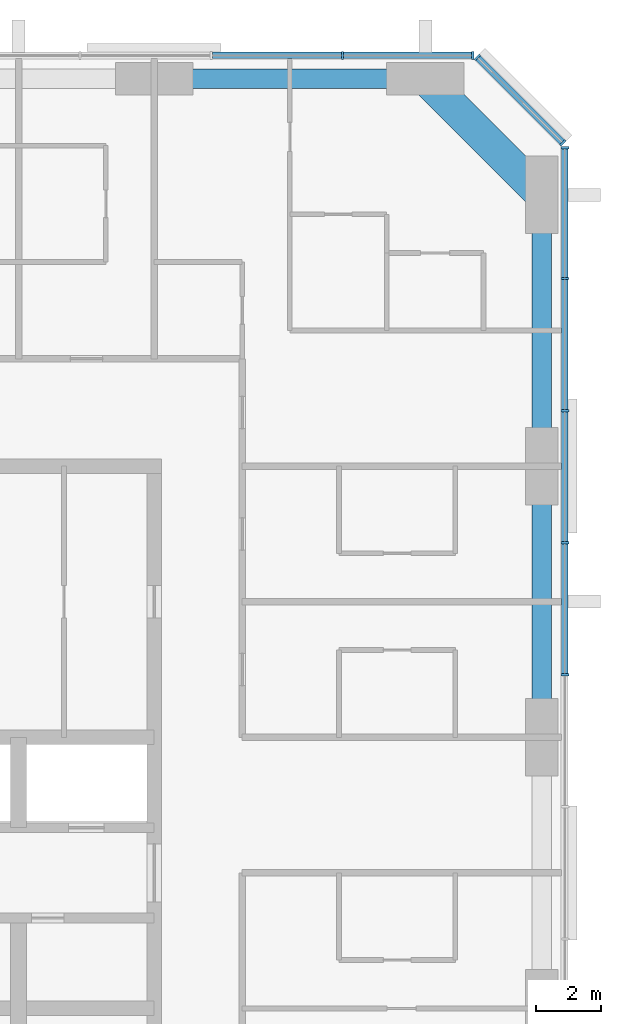
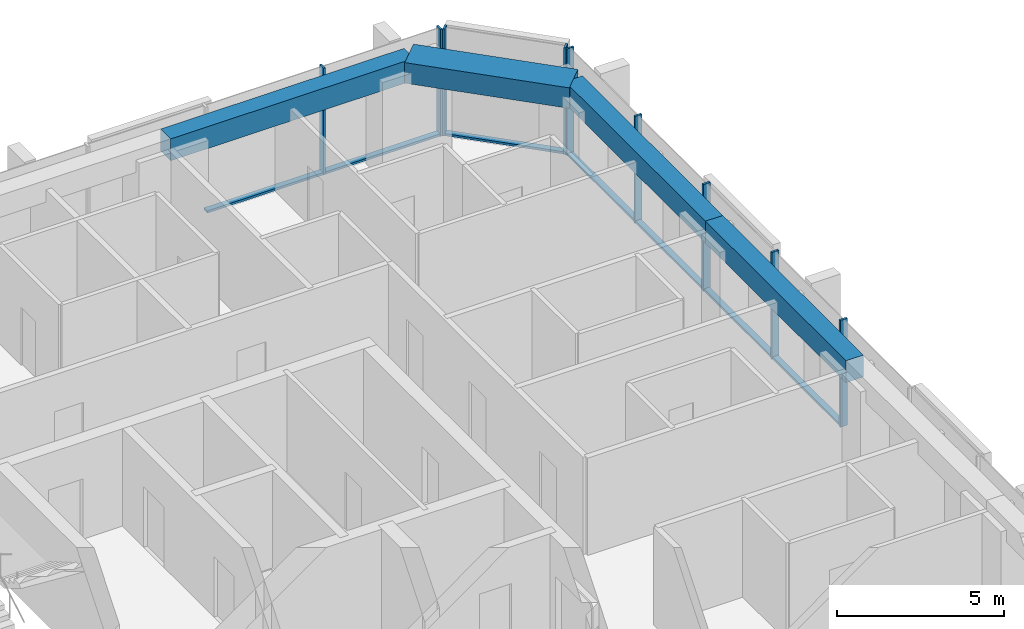
# One storey, part 5 of 12: 16 members, 4 beams, 3 elements without a shape of their own.
"""IFC4 building model written with IfcOpenShell, lengths in metres."""

from ifc_helpers import new_model, si_unit, direction, frame, origin, origin_2d, place, context, subcontext, project, spatial, rectangle, extrude, material, material_profile, profile_set, type_object, element, aggregate, save


model = new_model("IFC4")

# Units and contexts
model_context = context("Model", 3, precision=1e-05, world=origin(), true_north=direction((0.0, 1.0)))
body_context = subcontext(model_context, "Body", "Model", "MODEL_VIEW")
ifc_project = project(units=[si_unit("LENGTHUNIT", "METRE"), si_unit("AREAUNIT", "SQUARE_METRE"), si_unit("VOLUMEUNIT", "CUBIC_METRE"), si_unit("PLANEANGLEUNIT", "RADIAN"), si_unit("MASSUNIT", "GRAM", prefix="KILO")], contexts=[model_context])

# Site, building, storey
site_placement = place(None, origin())
site = spatial("IfcSite", under=ifc_project, at=site_placement, CompositionType="ELEMENT")
building_placement = place(site_placement, origin())
building = spatial("IfcBuilding", under=site, at=building_placement, Name="Dunama Terrace Hotel", CompositionType="ELEMENT")
storey_placement = place(building_placement, frame((0.0, 0.0, 260.699951171875)))
storey = spatial("IfcBuildingStorey", under=building, at=storey_placement, Name="L67", CompositionType="ELEMENT", Elevation=260.699951171875)

# Curtain wall, members
ifc_material_1 = material(Name="Aluminium curtain wall system", Category="aluminium")
curtain_wall_type = type_object("IfcCurtainWallType", Name="Unitised fritted glass wall CW-D", PredefinedType="NOTDEFINED", material=ifc_material_1)
curtain_wall_1_placement = place(storey_placement, origin())
curtain_wall_1 = element("IfcCurtainWall", 1, at=curtain_wall_1_placement, inside=storey, type_object=curtain_wall_type, Name="Unitised fritted glass wall CW-D L67", PredefinedType="NOTDEFINED")
ifc_material_2 = material(Name="Aluminium mullion", Category="aluminium")
ifc_material_profile_1 = material_profile(ifc_material_2, rectangle(XDim=0.070068359375, YDim=0.239990234375, at=origin_2d()), Name="CWD MULLION 70X240")
ifc_profile_set_1 = profile_set([ifc_material_profile_1], Name="Aluminium mullion")
member_type_1 = type_object("IfcMemberType", Name="CWD mullion 70x240", PredefinedType="MULLION", material=ifc_profile_set_1)
member_1_placement = place(storey_placement, frame((54.719970703125, 35.535888671875, 0.0), z_axis=(0.0, 0.0, 1.0), x_axis=(0.0, 1.0, 0.0)))
member_1 = element("IfcMember", 2, at=member_1_placement, type_object=member_type_1, Name="CWD mullion", PredefinedType="MULLION", context=body_context, shape_type="SweptSolid", body=[
    extrude(rectangle(XDim=0.070068359375, YDim=0.239990234375, at=origin_2d()), origin(), (0.0, 0.0, 1.0), 3.900146484375),
])
member_2_placement = place(storey_placement, frame((54.719970703125, 39.626953125, 0.0), z_axis=(0.0, 0.0, 1.0), x_axis=(0.0, 1.0, 0.0)))
member_2 = element("IfcMember", 3, at=member_2_placement, type_object=member_type_1, Name="CWD mullion", PredefinedType="MULLION", context=body_context, shape_type="SweptSolid", body=[
    extrude(rectangle(XDim=0.070068359375, YDim=0.239990234375, at=origin_2d()), origin(), (0.0, 0.0, 1.0), 3.900146484375),
])
member_3_placement = place(storey_placement, frame((54.719970703125, 43.718017578125, 0.0), z_axis=(0.0, 0.0, 1.0), x_axis=(0.0, 1.0, 0.0)))
member_3 = element("IfcMember", 4, at=member_3_placement, type_object=member_type_1, Name="CWD mullion", PredefinedType="MULLION", context=body_context, shape_type="SweptSolid", body=[
    extrude(rectangle(XDim=0.070068359375, YDim=0.239990234375, at=origin_2d()), origin(), (0.0, 0.0, 1.0), 3.900146484375),
])
member_4_placement = place(storey_placement, frame((54.719970703125, 47.80908203125, 0.0), z_axis=(0.0, 0.0, 1.0), x_axis=(0.0, 1.0, 0.0)))
member_4 = element("IfcMember", 5, at=member_4_placement, type_object=member_type_1, Name="CWD mullion", PredefinedType="MULLION", context=body_context, shape_type="SweptSolid", body=[
    extrude(rectangle(XDim=0.070068359375, YDim=0.239990234375, at=origin_2d()), origin(), (0.0, 0.0, 1.0), 3.900146484375),
])
member_5_placement = place(storey_placement, frame((54.719970703125, 51.864990234375, 0.0), z_axis=(0.0, 0.0, 1.0), x_axis=(0.0, 1.0, 0.0)))
member_5 = element("IfcMember", 6, at=member_5_placement, type_object=member_type_1, Name="CWD mullion", PredefinedType="MULLION", context=body_context, shape_type="SweptSolid", body=[
    extrude(rectangle(XDim=0.070068359375, YDim=0.239990234375, at=origin_2d()), origin(), (0.0, 0.0, 1.0), 3.900146484375),
])

curtain_wall_2_placement = place(storey_placement, origin())
curtain_wall_2 = element("IfcCurtainWall", 7, at=curtain_wall_2_placement, inside=storey, type_object=curtain_wall_type, Name="Unitised fritted glass wall CW-D L67", PredefinedType="NOTDEFINED")
member_6_placement = place(storey_placement, frame((54.659912109375, 52.010009765625, 0.0), z_axis=(0.0, 0.0, 1.0), x_axis=(-0.707106781187, 0.707106781187, 0.0)))
member_6 = element("IfcMember", 8, at=member_6_placement, type_object=member_type_1, Name="CWD mullion", PredefinedType="MULLION", context=body_context, shape_type="SweptSolid", body=[
    extrude(rectangle(XDim=0.070068359375, YDim=0.239990234375, at=origin_2d()), origin(), (0.0, 0.0, 1.0), 3.900146484375),
])
member_7_placement = place(storey_placement, frame((52.010009765625, 54.659912109375, 0.0), z_axis=(0.0, 0.0, 1.0), x_axis=(-0.707106781187, 0.707106781187, 0.0)))
member_7 = element("IfcMember", 9, at=member_7_placement, type_object=member_type_1, Name="CWD mullion", PredefinedType="MULLION", context=body_context, shape_type="SweptSolid", body=[
    extrude(rectangle(XDim=0.070068359375, YDim=0.239990234375, at=origin_2d()), origin(), (0.0, 0.0, 1.0), 3.900146484375),
])

curtain_wall_3_placement = place(storey_placement, origin())
curtain_wall_3 = element("IfcCurtainWall", 10, at=curtain_wall_3_placement, inside=storey, type_object=curtain_wall_type, Name="Unitised fritted glass wall CW-D L67", PredefinedType="NOTDEFINED")
member_8_placement = place(storey_placement, frame((51.864990234375, 54.719970703125, 0.0), z_axis=(0.0, 0.0, 1.0), x_axis=(-1.0, 0.0, 0.0)))
member_8 = element("IfcMember", 11, at=member_8_placement, type_object=member_type_1, Name="CWD mullion", PredefinedType="MULLION", context=body_context, shape_type="SweptSolid", body=[
    extrude(rectangle(XDim=0.070068359375, YDim=0.239990234375, at=origin_2d()), origin(), (0.0, 0.0, 1.0), 3.900146484375),
])
member_9_placement = place(storey_placement, frame((47.8330078125, 54.719970703125, 0.0), z_axis=(0.0, 0.0, 1.0), x_axis=(-1.0, 0.0, 0.0)))
member_9 = element("IfcMember", 12, at=member_9_placement, type_object=member_type_1, Name="CWD mullion", PredefinedType="MULLION", context=body_context, shape_type="SweptSolid", body=[
    extrude(rectangle(XDim=0.070068359375, YDim=0.239990234375, at=origin_2d()), origin(), (0.0, 0.0, 1.0), 3.900146484375),
])

# Member
ifc_material_3 = material(Name="Aluminium transom", Category="aluminium")
ifc_material_profile_2 = material_profile(ifc_material_3, rectangle(XDim=0.199951171875, YDim=0.0849609375, at=origin_2d()), Name="CWD TRANSOM 200X85")
ifc_profile_set_2 = profile_set([ifc_material_profile_2], Name="Aluminium transom")
member_type_2 = type_object("IfcMemberType", Name="CWD transom 200x85", PredefinedType="USERDEFINED", material=ifc_profile_set_2)
member_10_placement = place(storey_placement, frame((54.719970703125, 35.571044921875, 0.04248046875), z_axis=(0.0, 1.0, 0.0), x_axis=(-1.0, 0.0, 0.0)))
member_10 = element("IfcMember", 13, at=member_10_placement, type_object=member_type_2, Name="CWD transom", ObjectType="TRANSOM", PredefinedType="USERDEFINED", context=body_context, shape_type="SweptSolid", body=[
    extrude(rectangle(XDim=0.199951171875, YDim=0.0849609375, at=origin_2d()), origin(), (0.0, 0.0, 1.0), 4.02099609375),
])

member_11_placement = place(storey_placement, frame((54.719970703125, 39.662109375, 0.04248046875), z_axis=(0.0, 1.0, 0.0), x_axis=(-1.0, 0.0, 0.0)))
member_11 = element("IfcMember", 14, at=member_11_placement, type_object=member_type_2, Name="CWD transom", ObjectType="TRANSOM", PredefinedType="USERDEFINED", context=body_context, shape_type="SweptSolid", body=[
    extrude(rectangle(XDim=0.199951171875, YDim=0.0849609375, at=origin_2d()), origin(), (0.0, 0.0, 1.0), 4.02099609375),
])

member_12_placement = place(storey_placement, frame((54.719970703125, 43.7529296875, 0.04248046875), z_axis=(0.0, 1.0, 0.0), x_axis=(-1.0, 0.0, 0.0)))
member_12 = element("IfcMember", 15, at=member_12_placement, type_object=member_type_2, Name="CWD transom", ObjectType="TRANSOM", PredefinedType="USERDEFINED", context=body_context, shape_type="SweptSolid", body=[
    extrude(rectangle(XDim=0.199951171875, YDim=0.0849609375, at=origin_2d()), origin(), (0.0, 0.0, 1.0), 4.02099609375),
])

member_13_placement = place(storey_placement, frame((54.719970703125, 47.843994140625, 0.04248046875), z_axis=(0.0, 1.0, 0.0), x_axis=(-1.0, 0.0, 0.0)))
member_13 = element("IfcMember", 16, at=member_13_placement, type_object=member_type_2, Name="CWD transom", ObjectType="TRANSOM", PredefinedType="USERDEFINED", context=body_context, shape_type="SweptSolid", body=[
    extrude(rectangle(XDim=0.199951171875, YDim=0.0849609375, at=origin_2d()), origin(), (0.0, 0.0, 1.0), 3.986083984375),
])

aggregate(curtain_wall_1, [member_1, member_2, member_3, member_4, member_5, member_10, member_11, member_12, member_13])

member_14_placement = place(storey_placement, frame((54.635009765625, 52.033935546875, 0.04248046875), z_axis=(-0.707106781187, 0.707106781187, 0.0), x_axis=(-0.707106781187, -0.707106781187, 0.0)))
member_14 = element("IfcMember", 17, at=member_14_placement, type_object=member_type_2, Name="CWD transom", ObjectType="TRANSOM", PredefinedType="USERDEFINED", context=body_context, shape_type="SweptSolid", body=[
    extrude(rectangle(XDim=0.199951171875, YDim=0.0849609375, at=origin_2d()), origin(), (0.0, 0.0, 1.0), 3.678466796875),
])

aggregate(curtain_wall_2, [member_6, member_7, member_14])

member_15_placement = place(storey_placement, frame((51.830078125, 54.719970703125, 0.04248046875), z_axis=(-1.0, 0.0, 0.0), x_axis=(0.0, -1.0, 0.0)))
member_15 = element("IfcMember", 18, at=member_15_placement, type_object=member_type_2, Name="CWD transom", ObjectType="TRANSOM", PredefinedType="USERDEFINED", context=body_context, shape_type="SweptSolid", body=[
    extrude(rectangle(XDim=0.199951171875, YDim=0.0849609375, at=origin_2d()), origin(), (0.0, 0.0, 1.0), 3.962158203125),
])

member_16_placement = place(storey_placement, frame((47.798095703125, 54.719970703125, 0.04248046875), z_axis=(-1.0, 0.0, 0.0), x_axis=(0.0, -1.0, 0.0)))
member_16 = element("IfcMember", 19, at=member_16_placement, type_object=member_type_2, Name="CWD transom", ObjectType="TRANSOM", PredefinedType="USERDEFINED", context=body_context, shape_type="SweptSolid", body=[
    extrude(rectangle(XDim=0.199951171875, YDim=0.0849609375, at=origin_2d()), origin(), (0.0, 0.0, 1.0), 3.99609375),
])

aggregate(curtain_wall_3, [member_8, member_9, member_15, member_16])

# Beams
ifc_material_4 = material(Name="Concrete C50/60", Category="concrete")
ifc_material_profile_3 = material_profile(ifc_material_4, rectangle(XDim=1.0, YDim=0.75, at=origin_2d()), Name="RC 1000x750")
ifc_profile_set_3 = profile_set([ifc_material_profile_3], Name="Concrete C50/60")
beam_type_1 = type_object("IfcBeamType", Name="Edge beam RC 1000x750", PredefinedType="SPANDREL", material=ifc_profile_set_3)
beam_placement = place(storey_placement, frame((50.39990234375, 54.0, 3.525146484375), z_axis=(0.707106781187, -0.707106781187, 0.0), x_axis=(0.707106781187, 0.707106781187, 0.0)))
element("IfcBeam", 20, at=beam_placement, inside=storey, type_object=beam_type_1, Name="Corner edge beam under L68", PredefinedType="SPANDREL", context=body_context, shape_type="SweptSolid", body=[
    extrude(rectangle(XDim=1.0, YDim=0.75, at=origin_2d()), origin(), (0.0, 0.0, 1.0), 5.09130859375),
])
ifc_material_5 = material(Name="Concrete C40/50", Category="concrete")
ifc_material_profile_4 = material_profile(ifc_material_5, rectangle(XDim=0.60009765625, YDim=0.800048828125, at=origin_2d()), Name="RC 600x800")
ifc_profile_set_4 = profile_set([ifc_material_profile_4], Name="Concrete C40/50")
beam_type_2 = type_object("IfcBeamType", Name="Edge beam RC 600x800", PredefinedType="SPANDREL", material=ifc_profile_set_4)
for number, where, z_axis, x_axis, name in (
    (21, (54.0, 33.60009765625, 3.5), (0.0, 1.0, 0.0), (-1.0, 0.0, 0.0), "Edge beam under L68"),
    (22, (54.0, 42.0, 3.5), (0.0, 1.0, 0.0), (-1.0, 0.0, 0.0), "Edge beam under L68"),
    (23, (42.0, 54.0, 3.5), (1.0, 0.0, 0.0), (0.0, 1.0, 0.0), "Edge beam under L68"),
):
    element("IfcBeam", number, at=place(storey_placement, frame(where, z_axis=z_axis, x_axis=x_axis)), inside=storey, type_object=beam_type_2, Name=name, PredefinedType="SPANDREL", context=body_context, shape_type="SweptSolid", body=[
        extrude(rectangle(XDim=0.60009765625, YDim=0.800048828125, at=origin_2d()), origin(), (0.0, 0.0, 1.0), 8.39990234375),
    ])

save(model, "model.ifc")
